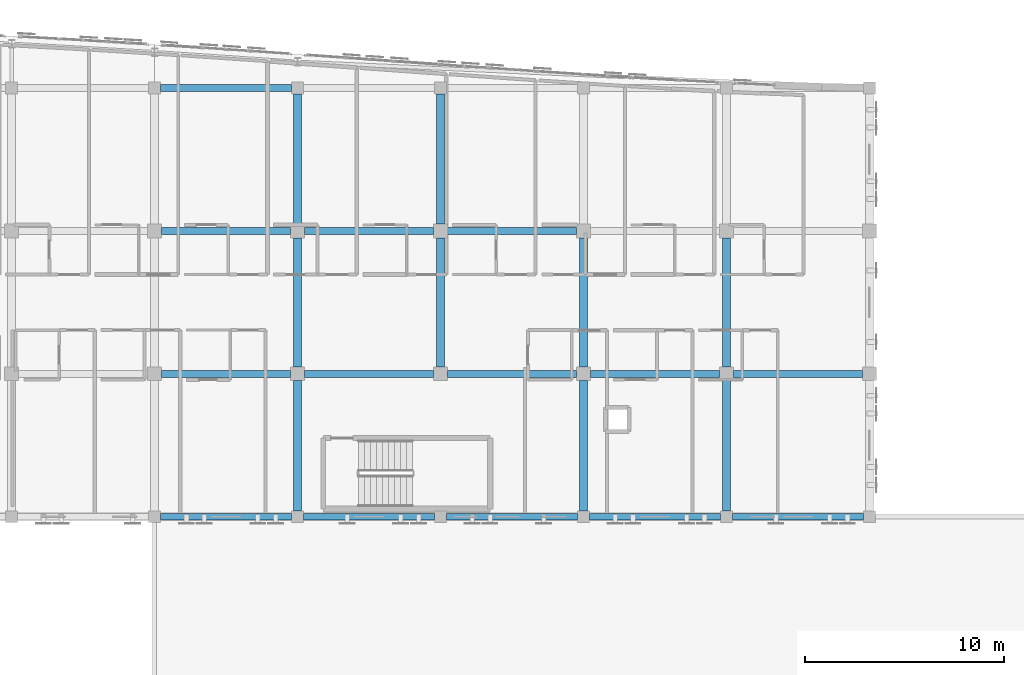
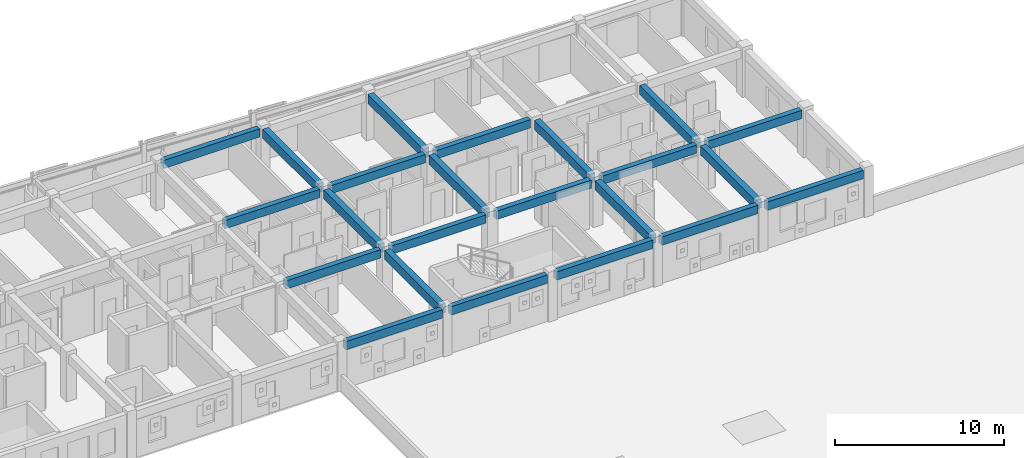
# One storey, part 24 of 50: 23 beams.
"""IFC4 building model written with IfcOpenShell, lengths in metres."""

from ifc_helpers import new_model, si_unit, direction, frame, origin, origin_2d, place, context, subcontext, project, spatial, rectangle, extrude, material, material_profile, profile_set, type_object, element, save


model = new_model("IFC4")

# Units and contexts
model_context = context("Model", 3, precision=1e-05, world=origin(), true_north=direction((0.0, 1.0)))
body_context = subcontext(model_context, "Body", "Model", "MODEL_VIEW")
ifc_project = project(units=[si_unit("LENGTHUNIT", "METRE"), si_unit("AREAUNIT", "SQUARE_METRE"), si_unit("VOLUMEUNIT", "CUBIC_METRE"), si_unit("PLANEANGLEUNIT", "RADIAN"), si_unit("MASSUNIT", "GRAM", prefix="KILO")], contexts=[model_context])

# Site, building, storey
site_placement = place(None, origin())
site = spatial("IfcSite", under=ifc_project, at=site_placement, CompositionType="ELEMENT")
building_placement = place(site_placement, origin())
building = spatial("IfcBuilding", under=site, at=building_placement, Name="Carrowvane Square Congress Hotel", CompositionType="ELEMENT")
storey_placement = place(building_placement, frame((0.0, 0.0, 22.800048828125)))
storey = spatial("IfcBuildingStorey", under=building, at=storey_placement, Name="L05", CompositionType="ELEMENT", Elevation=22.800048828125)

# Beams
ifc_material_1 = material(Name="Concrete C35/45", Category="concrete")
ifc_material_profile_1 = material_profile(ifc_material_1, rectangle(XDim=0.35009765625, YDim=0.60009765625, at=origin_2d()), Name="RC 350x600")
ifc_profile_set_1 = profile_set([ifc_material_profile_1], Name="Concrete C35/45")
beam_type_1 = type_object("IfcBeamType", Name="BM-RC-350x600", PredefinedType="BEAM", material=ifc_profile_set_1)
for number, where, z_axis, x_axis, name in (
    (1, (127.10009765625, 91.800048828125, 3.050048828125), (1.0, 0.0, 0.0), (0.0, 1.0, 0.0), "L06 girder N/17-18"),
    (2, (134.300048828125, 91.800048828125, 3.050048828125), (1.0, 0.0, 0.0), (0.0, 1.0, 0.0), "L06 girder N/18-19"),
):
    element("IfcBeam", number, at=place(storey_placement, frame(where, z_axis=z_axis, x_axis=x_axis)), inside=storey, type_object=beam_type_1, Name=name, PredefinedType="BEAM", context=body_context, shape_type="SweptSolid", body=[
        extrude(rectangle(XDim=0.35009765625, YDim=0.60009765625, at=origin_2d()), origin(), (0.0, 0.0, 1.0), 6.599853515625),
    ])
for number, where, z_axis, x_axis, name in (
    (3, (141.5, 91.800048828125, 3.050048828125), (1.0, 0.0, 0.0), (0.0, 1.0, 0.0), "L06 girder N/19-20"),
    (4, (148.699951171875, 91.800048828125, 3.050048828125), (1.0, 0.0, 0.0), (0.0, 1.0, 0.0), "L06 girder N/20-21"),
    (5, (155.89990234375, 91.800048828125, 3.050048828125), (1.0, 0.0, 0.0), (0.0, 1.0, 0.0), "L06 girder N/21-22"),
):
    element("IfcBeam", number, at=place(storey_placement, frame(where, z_axis=z_axis, x_axis=x_axis)), inside=storey, type_object=beam_type_1, Name=name, PredefinedType="BEAM", context=body_context, shape_type="SweptSolid", body=[
        extrude(rectangle(XDim=0.35009765625, YDim=0.60009765625, at=origin_2d()), origin(), (0.0, 0.0, 1.0), 6.60009765625),
    ])
for number, where, z_axis, x_axis, name in (
    (6, (127.14990234375, 99.0, 3.050048828125), (1.0, 0.0, 0.0), (0.0, 1.0, 0.0), "L06 girder P/17-18"),
    (7, (134.35009765625, 99.0, 3.050048828125), (1.0, 0.0, 0.0), (0.0, 1.0, 0.0), "L06 girder P/18-19"),
    (8, (141.550048828125, 99.0, 3.050048828125), (1.0, 0.0, 0.0), (0.0, 1.0, 0.0), "L06 girder P/19-20"),
    (9, (148.75, 99.0, 3.050048828125), (1.0, 0.0, 0.0), (0.0, 1.0, 0.0), "L06 girder P/20-21"),
    (10, (155.949951171875, 99.0, 3.050048828125), (1.0, 0.0, 0.0), (0.0, 1.0, 0.0), "L06 girder P/21-22"),
    (11, (127.14990234375, 106.199951171875, 3.050048828125), (1.0, 0.0, 0.0), (0.0, 1.0, 0.0), "L06 girder Q/17-18"),
    (12, (134.35009765625, 106.199951171875, 3.050048828125), (1.0, 0.0, 0.0), (0.0, 1.0, 0.0), "L06 girder Q/18-19"),
    (13, (141.550048828125, 106.199951171875, 3.050048828125), (1.0, 0.0, 0.0), (0.0, 1.0, 0.0), "L06 girder Q/19-20"),
):
    element("IfcBeam", number, at=place(storey_placement, frame(where, z_axis=z_axis, x_axis=x_axis)), inside=storey, type_object=beam_type_1, Name=name, PredefinedType="BEAM", context=body_context, shape_type="SweptSolid", body=[
        extrude(rectangle(XDim=0.35009765625, YDim=0.60009765625, at=origin_2d()), origin(), (0.0, 0.0, 1.0), 6.5),
    ])
beam_1_placement = place(storey_placement, frame((127.10009765625, 113.39990234375, 3.050048828125), z_axis=(1.0, 0.0, 0.0), x_axis=(0.0, 1.0, 0.0)))
element("IfcBeam", 14, at=beam_1_placement, inside=storey, type_object=beam_type_1, Name="L06 girder R/17-18", PredefinedType="BEAM", context=body_context, shape_type="SweptSolid", body=[
    extrude(rectangle(XDim=0.35009765625, YDim=0.60009765625, at=origin_2d()), origin(), (0.0, 0.0, 1.0), 6.599853515625),
])
ifc_material_2 = material(Name="Concrete C35/45", Category="concrete")
ifc_material_profile_2 = material_profile(ifc_material_2, rectangle(XDim=0.39990234375, YDim=0.64990234375, at=origin_2d()), Name="RC 400x650")
ifc_profile_set_2 = profile_set([ifc_material_profile_2], Name="Concrete C35/45")
beam_type_2 = type_object("IfcBeamType", Name="BM-RC-400x650", PredefinedType="BEAM", material=ifc_profile_set_2)
beam_2_placement = place(storey_placement, frame((134.0, 92.10009765625, 3.02490234375), z_axis=(0.0, 1.0, 0.0), x_axis=(-1.0, 0.0, 0.0)))
element("IfcBeam", 15, at=beam_2_placement, inside=storey, type_object=beam_type_2, Name="L06 girder 18/N-P", PredefinedType="BEAM", context=body_context, shape_type="SweptSolid", body=[
    extrude(rectangle(XDim=0.39990234375, YDim=0.64990234375, at=origin_2d()), origin(), (0.0, 0.0, 1.0), 6.5498046875),
])
beam_3_placement = place(storey_placement, frame((134.0, 99.35009765625, 3.02490234375), z_axis=(0.0, 1.0, 0.0), x_axis=(-1.0, 0.0, 0.0)))
element("IfcBeam", 16, at=beam_3_placement, inside=storey, type_object=beam_type_2, Name="L06 girder 18/P-Q", PredefinedType="BEAM", context=body_context, shape_type="SweptSolid", body=[
    extrude(rectangle(XDim=0.39990234375, YDim=0.64990234375, at=origin_2d()), origin(), (0.0, 0.0, 1.0), 6.5),
])
beam_4_placement = place(storey_placement, frame((134.0, 106.550048828125, 3.02490234375), z_axis=(0.0, 1.0, 0.0), x_axis=(-1.0, 0.0, 0.0)))
element("IfcBeam", 17, at=beam_4_placement, inside=storey, type_object=beam_type_2, Name="L06 girder 18/Q-R", PredefinedType="BEAM", context=body_context, shape_type="SweptSolid", body=[
    extrude(rectangle(XDim=0.39990234375, YDim=0.64990234375, at=origin_2d()), origin(), (0.0, 0.0, 1.0), 6.550048828125),
])
beam_5_placement = place(storey_placement, frame((141.199951171875, 99.35009765625, 3.02490234375), z_axis=(0.0, 1.0, 0.0), x_axis=(-1.0, 0.0, 0.0)))
element("IfcBeam", 18, at=beam_5_placement, inside=storey, type_object=beam_type_2, Name="L06 girder 19/P-Q", PredefinedType="BEAM", context=body_context, shape_type="SweptSolid", body=[
    extrude(rectangle(XDim=0.39990234375, YDim=0.64990234375, at=origin_2d()), origin(), (0.0, 0.0, 1.0), 6.5),
])
beam_6_placement = place(storey_placement, frame((141.199951171875, 106.550048828125, 3.02490234375), z_axis=(0.0, 1.0, 0.0), x_axis=(-1.0, 0.0, 0.0)))
element("IfcBeam", 19, at=beam_6_placement, inside=storey, type_object=beam_type_2, Name="L06 girder 19/Q-R", PredefinedType="BEAM", context=body_context, shape_type="SweptSolid", body=[
    extrude(rectangle(XDim=0.39990234375, YDim=0.64990234375, at=origin_2d()), origin(), (0.0, 0.0, 1.0), 6.550048828125),
])
beam_7_placement = place(storey_placement, frame((148.39990234375, 92.10009765625, 3.02490234375), z_axis=(0.0, 1.0, 0.0), x_axis=(-1.0, 0.0, 0.0)))
element("IfcBeam", 20, at=beam_7_placement, inside=storey, type_object=beam_type_2, Name="L06 girder 20/N-P", PredefinedType="BEAM", context=body_context, shape_type="SweptSolid", body=[
    extrude(rectangle(XDim=0.39990234375, YDim=0.64990234375, at=origin_2d()), origin(), (0.0, 0.0, 1.0), 6.5498046875),
])
beam_8_placement = place(storey_placement, frame((148.39990234375, 99.35009765625, 3.02490234375), z_axis=(0.0, 1.0, 0.0), x_axis=(-1.0, 0.0, 0.0)))
element("IfcBeam", 21, at=beam_8_placement, inside=storey, type_object=beam_type_2, Name="L06 girder 20/P-Q", PredefinedType="BEAM", context=body_context, shape_type="SweptSolid", body=[
    extrude(rectangle(XDim=0.39990234375, YDim=0.64990234375, at=origin_2d()), origin(), (0.0, 0.0, 1.0), 6.5),
])
beam_9_placement = place(storey_placement, frame((155.60009765625, 92.10009765625, 3.02490234375), z_axis=(0.0, 1.0, 0.0), x_axis=(-1.0, 0.0, 0.0)))
element("IfcBeam", 22, at=beam_9_placement, inside=storey, type_object=beam_type_2, Name="L06 girder 21/N-P", PredefinedType="BEAM", context=body_context, shape_type="SweptSolid", body=[
    extrude(rectangle(XDim=0.39990234375, YDim=0.64990234375, at=origin_2d()), origin(), (0.0, 0.0, 1.0), 6.5498046875),
])
beam_10_placement = place(storey_placement, frame((155.60009765625, 99.35009765625, 3.02490234375), z_axis=(0.0, 1.0, 0.0), x_axis=(-1.0, 0.0, 0.0)))
element("IfcBeam", 23, at=beam_10_placement, inside=storey, type_object=beam_type_2, Name="L06 girder 21/P-Q", PredefinedType="BEAM", context=body_context, shape_type="SweptSolid", body=[
    extrude(rectangle(XDim=0.39990234375, YDim=0.64990234375, at=origin_2d()), origin(), (0.0, 0.0, 1.0), 6.5),
])

save(model, "model.ifc")
